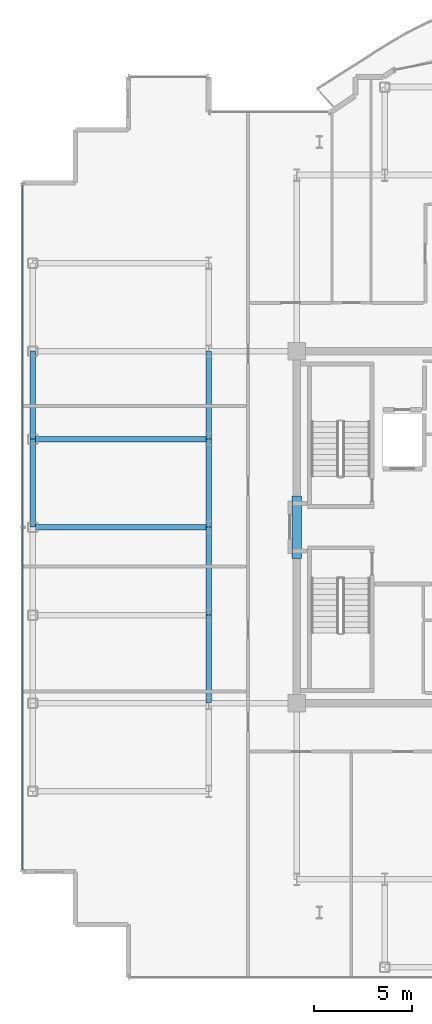
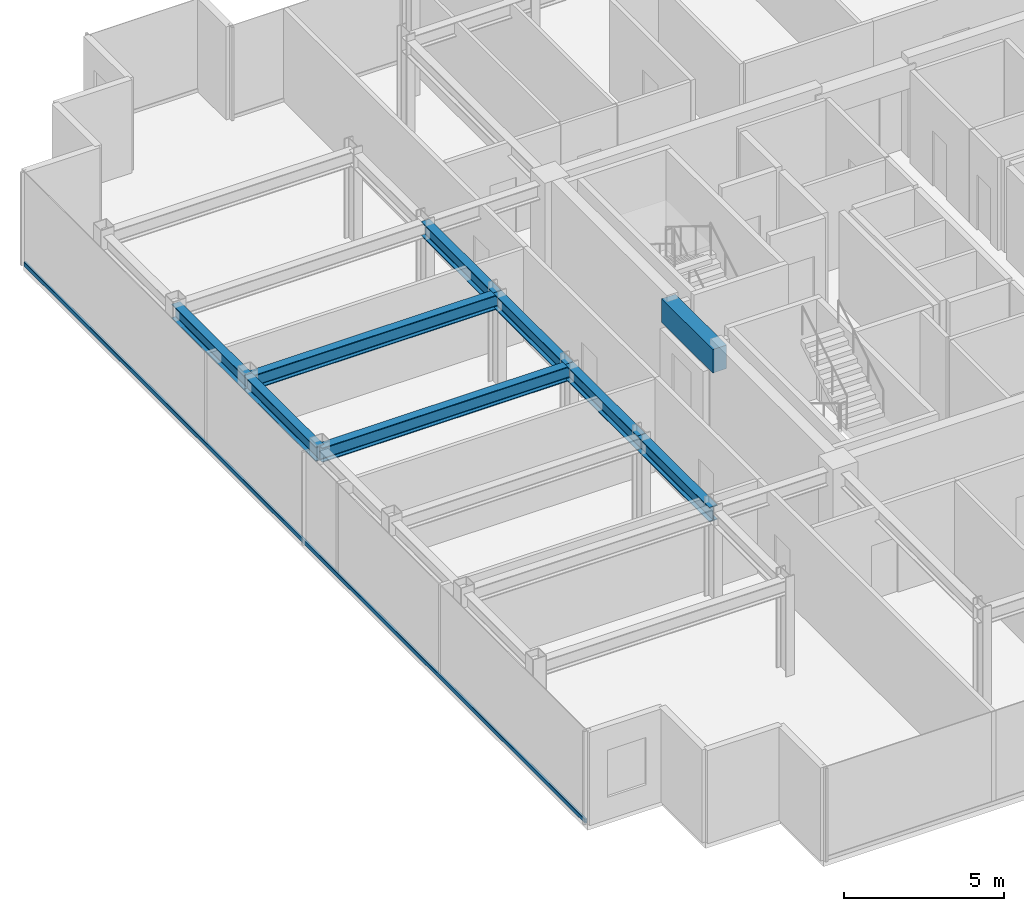
# One storey, part 5 of 18: 9 beams, 1 member, 1 element without a shape of its own.
"""IFC4 building model written with IfcOpenShell, lengths in metres."""

from ifc_helpers import new_model, si_unit, direction, frame, origin, origin_2d, place, context, subcontext, project, spatial, rectangle, hollow_rectangle, i_section, extrude, source, transform, mapped, material, layer, layer_set, material_profile, profile_set, type_object, element, aggregate, save


model = new_model("IFC4")

# Units and contexts
model_context = context("Model", 3, precision=1e-05, world=origin(), true_north=direction((0.0, 1.0)))
body_context = subcontext(model_context, "Body", "Model", "MODEL_VIEW")
ifc_project = project(units=[si_unit("LENGTHUNIT", "METRE"), si_unit("AREAUNIT", "SQUARE_METRE"), si_unit("VOLUMEUNIT", "CUBIC_METRE"), si_unit("PLANEANGLEUNIT", "RADIAN"), si_unit("MASSUNIT", "GRAM", prefix="KILO")], contexts=[model_context])

# Site, building, storey
site_placement = place(None, origin())
site = spatial("IfcSite", under=ifc_project, at=site_placement, CompositionType="ELEMENT")
building_placement = place(site_placement, origin())
building = spatial("IfcBuilding", under=site, at=building_placement, Name="Nefas-Gora Pilgrimage Tower", CompositionType="ELEMENT")
storey_placement = place(building_placement, frame((0.0, 0.0, 330.0)))
storey = spatial("IfcBuildingStorey", under=building, at=storey_placement, Name="L83", CompositionType="ELEMENT", Elevation=330.0)

# Beams
ifc_material_1 = material(Name="Concrete C50/60", Category="concrete")
ifc_material_profile_1 = material_profile(ifc_material_1, rectangle(XDim=0.5, YDim=0.89990234375, at=origin_2d()), Name="RC 500x900")
ifc_profile_set_1 = profile_set([ifc_material_profile_1], Name="Concrete C50/60")
beam_type_1 = type_object("IfcBeamType", Name="BM-LIN-RC900", PredefinedType="LINTEL", material=ifc_profile_set_1)
shared_shape_1 = source(origin(), body_context, "Body", "SweptSolid", [
    extrude(rectangle(XDim=0.5, YDim=0.89990234375, at=origin_2d()), origin(), (0.0, 0.0, 1.0), 3.2001953125),
])
beam_placement = place(storey_placement, frame((-11.25, -1.60009765625, 3.10009765625), z_axis=(0.0, 1.0, 0.0), x_axis=(-1.0, 0.0, 0.0)))
element("IfcBeam", 1, at=beam_placement, inside=storey, type_object=beam_type_1, Name="L83 Core Coupling Lintel Beam W", PredefinedType="LINTEL", context=body_context, shape_type="MappedRepresentation", body=[
    mapped(shared_shape_1, transform((0.0, 0.0, 0.0), x_axis=(1.0, 0.0, 0.0), y_axis=(0.0, 1.0, 0.0), z_axis=(0.0, 0.0, 1.0), scale=1.0)),
])
ifc_material_2 = material(Name="Steel S355", Category="steel")
ifc_material_profile_2 = material_profile(ifc_material_2, i_section(OverallWidth=0.300048828125, OverallDepth=0.550048828125, WebThickness=0.014892578125, FlangeThickness=0.029052734375, FilletRadius=0.027099609375, at=origin_2d()), Name="HEB 550")
ifc_profile_set_2 = profile_set([ifc_material_profile_2], Name="Steel S355")
beam_type_2 = type_object("IfcBeamType", Name="BM-SPN-HEB400", PredefinedType="SPANDREL", material=ifc_profile_set_2)
shared_shape_2 = source(origin(), body_context, "Body", "SweptSolid", [
    extrude(i_section(OverallWidth=0.300048828125, OverallDepth=0.550048828125, WebThickness=0.014892578125, FlangeThickness=0.029052734375, FilletRadius=0.027099609375, at=origin_2d()), origin(), (0.0, 0.0, 1.0), 4.5),
])
for number, where, z_axis, x_axis, name in (
    (2, (-24.75, 0.0, 3.27490234375), (0.0, 1.0, 0.0), (-1.0, 0.0, 0.0), "L83 SP-04 beam"),
    (3, (-24.75, 4.5, 3.27490234375), (0.0, 1.0, 0.0), (-1.0, 0.0, 0.0), "L83 SP-04 beam"),
):
    element("IfcBeam", number, at=place(storey_placement, frame(where, z_axis=z_axis, x_axis=x_axis)), inside=storey, type_object=beam_type_2, Name=name, PredefinedType="SPANDREL", context=body_context, shape_type="MappedRepresentation", body=[
        mapped(shared_shape_2, transform((0.0, 0.0, 0.0), x_axis=(1.0, 0.0, 0.0), y_axis=(0.0, 1.0, 0.0), z_axis=(0.0, 0.0, 1.0), scale=1.0)),
    ])
ifc_material_profile_3 = material_profile(ifc_material_2, i_section(OverallWidth=0.300048828125, OverallDepth=0.550048828125, WebThickness=0.014892578125, FlangeThickness=0.029052734375, FilletRadius=0.027099609375, at=origin_2d()), Name="HEB 550")
ifc_profile_set_3 = profile_set([ifc_material_profile_3], Name="Steel S355")
beam_type_3 = type_object("IfcBeamType", Name="BM-GIR-HEB550", PredefinedType="BEAM", material=ifc_profile_set_3)
shared_shape_3 = source(origin(), body_context, "Body", "SweptSolid", [
    extrude(i_section(OverallWidth=0.300048828125, OverallDepth=0.550048828125, WebThickness=0.014892578125, FlangeThickness=0.029052734375, FilletRadius=0.027099609375, at=origin_2d()), origin(), (0.0, 0.0, 1.0), 9.0),
])
for number, where, z_axis, x_axis, name in (
    (4, (-24.75, 0.0, 3.27490234375), (1.0, 0.0, 0.0), (0.0, 1.0, 0.0), "L83 G-05 beam"),
    (5, (-24.75, 4.5, 3.27490234375), (1.0, 0.0, 0.0), (0.0, 1.0, 0.0), "L83 G-05 beam"),
):
    element("IfcBeam", number, at=place(storey_placement, frame(where, z_axis=z_axis, x_axis=x_axis)), inside=storey, type_object=beam_type_3, Name=name, PredefinedType="BEAM", context=body_context, shape_type="MappedRepresentation", body=[
        mapped(shared_shape_3, transform((0.0, 0.0, 0.0), x_axis=(1.0, 0.0, 0.0), y_axis=(0.0, 1.0, 0.0), z_axis=(0.0, 0.0, 1.0), scale=1.0)),
    ])
shared_shape_4 = source(origin(), body_context, "Body", "SweptSolid", [
    extrude(i_section(OverallWidth=0.300048828125, OverallDepth=0.550048828125, WebThickness=0.014892578125, FlangeThickness=0.029052734375, FilletRadius=0.027099609375, at=origin_2d()), origin(), (0.0, 0.0, 1.0), 4.5),
])
for number, where, z_axis, x_axis, name in (
    (6, (-15.75, -9.0, 3.27490234375), (0.0, 1.0, 0.0), (-1.0, 0.0, 0.0), "L83 G-05 beam"),
    (7, (-15.75, -4.5, 3.27490234375), (0.0, 1.0, 0.0), (-1.0, 0.0, 0.0), "L83 G-05 beam"),
    (8, (-15.75, 0.0, 3.27490234375), (0.0, 1.0, 0.0), (-1.0, 0.0, 0.0), "L83 G-05 beam"),
    (9, (-15.75, 4.5, 3.27490234375), (0.0, 1.0, 0.0), (-1.0, 0.0, 0.0), "L83 G-05 beam"),
):
    element("IfcBeam", number, at=place(storey_placement, frame(where, z_axis=z_axis, x_axis=x_axis)), inside=storey, type_object=beam_type_3, Name=name, PredefinedType="BEAM", context=body_context, shape_type="MappedRepresentation", body=[
        mapped(shared_shape_4, transform((0.0, 0.0, 0.0), x_axis=(1.0, 0.0, 0.0), y_axis=(0.0, 1.0, 0.0), z_axis=(0.0, 0.0, 1.0), scale=1.0)),
    ])

# Curtain wall, member
ifc_material_3 = material(Name="Dark ceramic-fritted solar-control aluminium-glass curtain wall", Category="aluminium")
ifc_layer = layer(ifc_material_3, 0.219970703125)
ifc_layer_set = layer_set([ifc_layer], Name="Dark ceramic-fritted solar-control aluminium-glass curtain wall")
curtain_wall_type = type_object("IfcCurtainWallType", Name="CW-SYS-4", PredefinedType="NOTDEFINED", material=ifc_layer_set)
curtain_wall_placement = place(storey_placement, origin())
curtain_wall = element("IfcCurtainWall", 10, at=curtain_wall_placement, inside=storey, type_object=curtain_wall_type, Name="L83 Unitised Curtain Wall CW4", PredefinedType="NOTDEFINED")
ifc_material_4 = material(Name="Anodised architectural aluminium", Category="aluminium")
ifc_material_profile_4 = material_profile(ifc_material_4, hollow_rectangle(XDim=0.080078125, YDim=0.159912109375, WallThickness=0.00439453125, InnerFilletRadius=0.00439453125, OuterFilletRadius=0.009033203125, at=origin_2d()), Name="ALU TRANSOM 80x160")
ifc_profile_set_4 = profile_set([ifc_material_profile_4], Name="Anodised architectural aluminium")
member_type = type_object("IfcMemberType", Name="CWM-TRN-4", PredefinedType="USERDEFINED", material=ifc_profile_set_4)
shared_shape_5 = source(origin(), body_context, "Body", "SweptSolid", [
    extrude(hollow_rectangle(XDim=0.080078125, YDim=0.159912109375, WallThickness=0.00439453125, InnerFilletRadius=0.00439453125, OuterFilletRadius=0.009033203125, at=origin_2d()), origin(), (0.0, 0.0, 1.0), 35.06005859375),
])
member_placement = place(storey_placement, frame((-25.27001953125, 17.530029296875, 0.050048828125), z_axis=(0.0, -1.0, 0.0), x_axis=(1.0, 0.0, 0.0)))
member = element("IfcMember", 11, at=member_placement, type_object=member_type, Name="CW4 Spandrel Transom", ObjectType="TRANSOM", PredefinedType="USERDEFINED", context=body_context, shape_type="MappedRepresentation", body=[
    mapped(shared_shape_5, transform((0.0, 0.0, 0.0), x_axis=(1.0, 0.0, 0.0), y_axis=(0.0, 1.0, 0.0), z_axis=(0.0, 0.0, 1.0), scale=1.0)),
])
aggregate(curtain_wall, [member])

save(model, "model.ifc")
